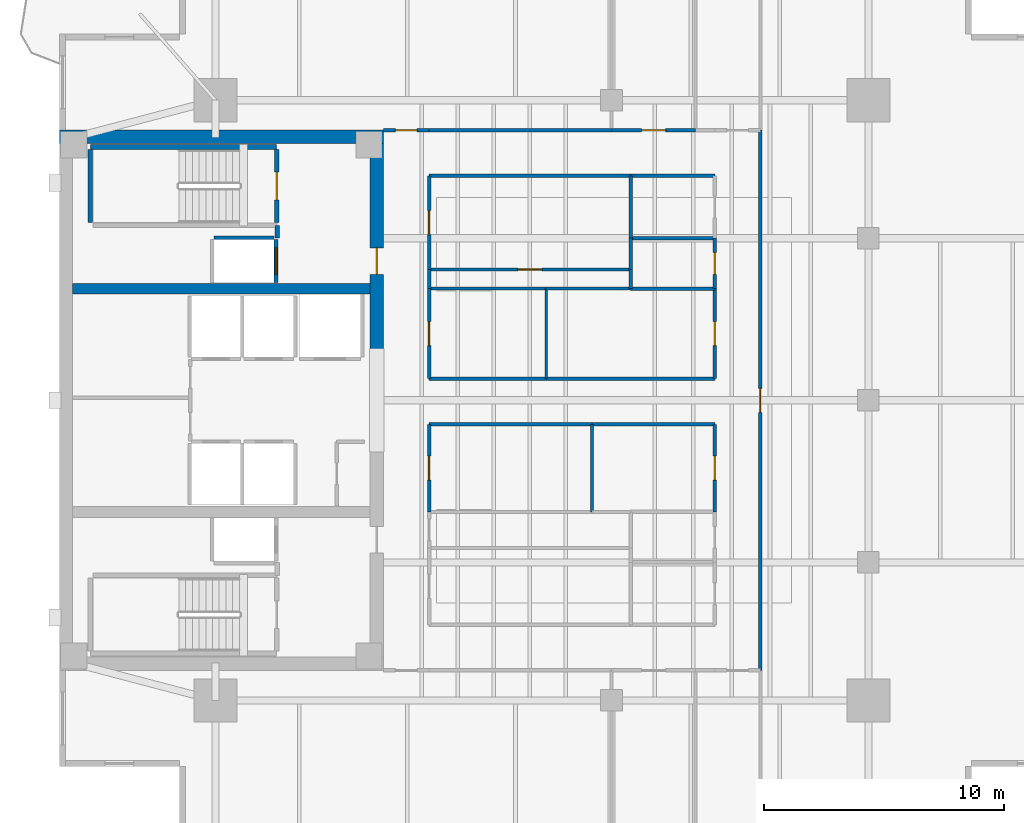
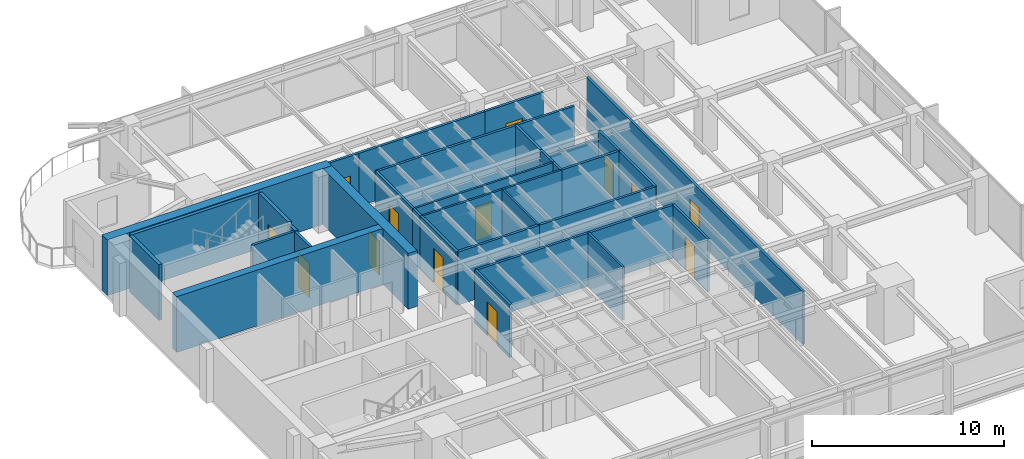
# One storey, part 9 of 14: 36 walls, 13 doors, 13 openings.
"""IFC4 building model written with IfcOpenShell, lengths in metres."""

from ifc_helpers import new_model, si_unit, direction, frame, frame_2d, origin, place, context, subcontext, project, spatial, rectangle, extrude, material, layer, layer_set, type_object, element, fill, save


model = new_model("IFC4")

# Units and contexts
model_context = context("Model", 3, precision=1e-05, world=origin(), true_north=direction((0.0, 1.0)))
body_context = subcontext(model_context, "Body", "Model", "MODEL_VIEW")
ifc_project = project(units=[si_unit("LENGTHUNIT", "METRE"), si_unit("AREAUNIT", "SQUARE_METRE"), si_unit("VOLUMEUNIT", "CUBIC_METRE"), si_unit("PLANEANGLEUNIT", "RADIAN"), si_unit("MASSUNIT", "GRAM", prefix="KILO")], contexts=[model_context])

# Site, building, storey
site_placement = place(None, origin())
site = spatial("IfcSite", under=ifc_project, at=site_placement, CompositionType="ELEMENT")
building_placement = place(site_placement, origin())
building = spatial("IfcBuilding", under=site, at=building_placement, Name="Kinhvarn Gate Tower", CompositionType="ELEMENT")
storey_placement = place(building_placement, frame((0.0, 0.0, 212.89990234375)))
storey = spatial("IfcBuildingStorey", under=building, at=storey_placement, Name="L56", CompositionType="ELEMENT", Elevation=212.89990234375)

# Walls
ifc_material_1 = material(Name="Concrete C50/60", Category="concrete")
ifc_layer_1 = layer(ifc_material_1, 0.449951171875)
ifc_layer_set_1 = layer_set([ifc_layer_1], Name="Concrete C50/60")
wall_type_1 = type_object("IfcWallType", Name="WL-CORE-450", PredefinedType="SHEAR", material=ifc_layer_set_1)
wall_1_placement = place(storey_placement, frame((5.050048828125, 29.89990234375, 0.0), z_axis=(0.0, 0.0, 1.0), x_axis=(1.0, 0.0, 0.0)))
element("IfcWall", 1, at=wall_1_placement, inside=storey, type_object=wall_type_1, Name="Core North Spine Shear Wall L56 450 mm", PredefinedType="SHEAR", context=body_context, shape_type="SweptSolid", body=[
    extrude(rectangle(XDim=12.39990234375, YDim=0.449951171875, at=frame_2d((6.199951171875, 0.0))), origin(), (0.0, 0.0, 1.0), 3.550048828125),
])
ifc_material_2 = material(Name="Concrete C60/75", Category="concrete")
ifc_layer_2 = layer(ifc_material_2, 0.550048828125)
ifc_layer_set_2 = layer_set([ifc_layer_2], Name="Concrete C60/75")
wall_type_2 = type_object("IfcWallType", Name="WL-CORE-550", PredefinedType="SHEAR", material=ifc_layer_set_2)
wall_2_placement = place(storey_placement, frame((4.5, 36.22509765625, 0.0), z_axis=(0.0, 0.0, 1.0), x_axis=(1.0, 0.0, 0.0)))
element("IfcWall", 2, at=wall_2_placement, inside=storey, type_object=wall_type_2, Name="Core North Shear Wall L56 550 mm", PredefinedType="SHEAR", context=body_context, shape_type="SweptSolid", body=[
    extrude(rectangle(XDim=13.5, YDim=0.550048828125, at=frame_2d((6.75, 0.0))), origin(), (0.0, 0.0, 1.0), 3.550048828125),
])

# Wall, opening, door
wall_3_placement = place(storey_placement, frame((17.72509765625, 27.050048828125, 0.0), z_axis=(0.0, 0.0, 1.0), x_axis=(0.0, 1.0, 0.0)))
wall_3 = element("IfcWall", 3, at=wall_3_placement, inside=storey, type_object=wall_type_2, Name="Core East-North Shear Pier L56 550 mm", PredefinedType="SHEAR", context=body_context, shape_type="SweptSolid", body=[
    extrude(rectangle(XDim=8.89990234375, YDim=0.550048828125, at=frame_2d((4.449951171875, 0.0))), origin(), (0.0, 0.0, 1.0), 3.550048828125),
])
opening_1_placement = place(wall_3_placement, frame((3.449951171875, 0.0, 0.0)))
opening_1 = element("IfcOpeningElement", 4, at=opening_1_placement, cuts=wall_3, Name="Opening FD-02", PredefinedType="OPENING", context=body_context, shape_type="SweptSolid", body=[
    extrude(rectangle(XDim=1.10009765625, YDim=2.14990234375, at=frame_2d((0.550048828125, 1.074951171875))), frame((0.0, 0.28515625, 0.0), z_axis=(0.0, -1.0, 0.0), x_axis=(1.0, 0.0, 0.0)), (0.0, 0.0, 1.0), 0.570068359375),
])
ifc_material_3 = material(Name="Anodised aluminium AW-6063", Category="aluminium")
door_type_1 = type_object("IfcDoorType", Name="DR-FD-1100", OperationType="NOTDEFINED", PredefinedType="DOOR", material=ifc_material_3)
door_1_placement = place(opening_1_placement, origin())
door_1 = element("IfcDoor", 5, at=door_1_placement, inside=storey, type_object=door_type_1, Name="Firefighting Lobby Core Door (L56)", OperationType="SINGLE_SWING_LEFT", OverallHeight=2.14990234375, OverallWidth=1.10009765625, PredefinedType="DOOR", context=body_context, shape_type="SweptSolid", body=[
    extrude(rectangle(XDim=1.10009765625, YDim=2.14990234375, at=frame_2d((0.550048828125, 1.074951171875))), frame((0.0, 0.02490234375, 0.0), z_axis=(0.0, -1.0, 0.0), x_axis=(1.0, 0.0, 0.0)), (0.0, 0.0, 1.0), 0.050048828125),
])
fill(opening_1, door_1)

# Walls
ifc_material_4 = material(Name="Gypsum acoustic partition board")
ifc_layer_3 = layer(ifc_material_4, 0.14990234375)
ifc_layer_set_3 = layer_set([ifc_layer_3], Name="Gypsum acoustic partition board")
wall_type_3 = type_object("IfcWallType", Name="WL-PLM-150", PredefinedType="PLUMBINGWALL", material=ifc_layer_set_3)
wall_4_placement = place(storey_placement, frame((28.300048828125, 32.0, 0.0), z_axis=(0.0, 0.0, 1.0), x_axis=(1.0, 0.0, 0.0)))
element("IfcWall", 6, at=wall_4_placement, inside=storey, type_object=wall_type_3, Name="Interior Partition PLW-150 (L56)", PredefinedType="PLUMBINGWALL", context=body_context, shape_type="SweptSolid", body=[
    extrude(rectangle(XDim=3.5, YDim=0.14990234375, at=frame_2d((1.75, 0.0))), origin(), (0.0, 0.0, 1.0), 2.8701171875),
])
wall_5_placement = place(storey_placement, frame((28.300048828125, 32.0, 0.0), z_axis=(0.0, 0.0, 1.0), x_axis=(0.0, 1.0, 0.0)))
element("IfcWall", 7, at=wall_5_placement, inside=storey, type_object=wall_type_3, Name="Interior Partition PLW-150 (L56)", PredefinedType="PLUMBINGWALL", context=body_context, shape_type="SweptSolid", body=[
    extrude(rectangle(XDim=2.60009765625, YDim=0.14990234375, at=frame_2d((1.300048828125, 0.0))), origin(), (0.0, 0.0, 1.0), 3.3701171875),
])
wall_6_placement = place(storey_placement, frame((28.300048828125, 30.699951171875, 0.0), z_axis=(0.0, 0.0, 1.0), x_axis=(0.0, 1.0, 0.0)))
element("IfcWall", 8, at=wall_6_placement, inside=storey, type_object=wall_type_3, Name="Interior Partition PLW-150 (L56)", PredefinedType="PLUMBINGWALL", context=body_context, shape_type="SweptSolid", body=[
    extrude(rectangle(XDim=1.300048828125, YDim=0.14990234375, at=frame_2d((0.64990234375, 0.0))), origin(), (0.0, 0.0, 1.0), 3.3701171875),
])
wall_7_placement = place(storey_placement, frame((28.300048828125, 29.89990234375, 0.0), z_axis=(0.0, 0.0, 1.0), x_axis=(0.0, 1.0, 0.0)))
element("IfcWall", 9, at=wall_7_placement, inside=storey, type_object=wall_type_3, Name="Interior Partition PLW-150 (L56)", PredefinedType="PLUMBINGWALL", context=body_context, shape_type="SweptSolid", body=[
    extrude(rectangle(XDim=0.800048828125, YDim=0.14990234375, at=frame_2d((0.39990234375, 0.0))), origin(), (0.0, 0.0, 1.0), 3.3701171875),
])
wall_8_placement = place(storey_placement, frame((28.300048828125, 29.89990234375, 0.0), z_axis=(0.0, 0.0, 1.0), x_axis=(1.0, 0.0, 0.0)))
element("IfcWall", 10, at=wall_8_placement, inside=storey, type_object=wall_type_3, Name="Interior Partition PLW-150 (L56)", PredefinedType="PLUMBINGWALL", context=body_context, shape_type="SweptSolid", body=[
    extrude(rectangle(XDim=3.5, YDim=0.14990234375, at=frame_2d((1.75, 0.0))), origin(), (0.0, 0.0, 1.0), 3.3701171875),
])

# Wall, opening, door
ifc_layer_4 = layer(ifc_material_4, 0.14990234375)
ifc_layer_set_4 = layer_set([ifc_layer_4], Name="Gypsum acoustic partition board")
wall_type_4 = type_object("IfcWallType", Name="WL-PLM-150F", PredefinedType="PLUMBINGWALL", material=ifc_layer_set_4)
wall_9_placement = place(storey_placement, frame((31.800048828125, 29.89990234375, 0.0), z_axis=(0.0, 0.0, 1.0), x_axis=(0.0, 1.0, 0.0)))
wall_9 = element("IfcWall", 11, at=wall_9_placement, inside=storey, type_object=wall_type_4, Name="Interior Partition PLW-150F (L56)", PredefinedType="PLUMBINGWALL", context=body_context, shape_type="SweptSolid", body=[
    extrude(rectangle(XDim=2.10009765625, YDim=0.14990234375, at=frame_2d((1.050048828125, 0.0))), origin(), (0.0, 0.0, 1.0), 3.3701171875),
])
opening_2_placement = place(wall_9_placement, frame((0.60009765625, 0.0, 0.0)))
opening_2 = element("IfcOpeningElement", 12, at=opening_2_placement, cuts=wall_9, Name="Opening FD-04", PredefinedType="OPENING", context=body_context, shape_type="SweptSolid", body=[
    extrude(rectangle(XDim=0.89990234375, YDim=2.10009765625, at=frame_2d((0.449951171875, 1.050048828125))), frame((0.0, 0.0849609375, 0.0), z_axis=(0.0, -1.0, 0.0), x_axis=(1.0, 0.0, 0.0)), (0.0, 0.0, 1.0), 0.169921875),
])
door_type_2 = type_object("IfcDoorType", Name="DR-FD-900", OperationType="NOTDEFINED", PredefinedType="DOOR", material=ifc_material_3)
door_2_placement = place(opening_2_placement, origin())
door_2 = element("IfcDoor", 13, at=door_2_placement, inside=storey, type_object=door_type_2, Name="Rated Riser & Service Closet Fire Door 900x2100 mm (L56)", OperationType="SINGLE_SWING_LEFT", OverallHeight=2.10009765625, OverallWidth=0.89990234375, PredefinedType="DOOR", context=body_context, shape_type="SweptSolid", body=[
    extrude(rectangle(XDim=0.89990234375, YDim=2.10009765625, at=frame_2d((0.449951171875, 1.050048828125))), frame((0.0, 0.02490234375, 0.0), z_axis=(0.0, -1.0, 0.0), x_axis=(1.0, 0.0, 0.0)), (0.0, 0.0, 1.0), 0.050048828125),
])
fill(opening_2, door_2)

# Wall
wall_10_placement = place(storey_placement, frame((28.300048828125, 34.60009765625, 0.0), z_axis=(0.0, 0.0, 1.0), x_axis=(1.0, 0.0, 0.0)))
element("IfcWall", 14, at=wall_10_placement, inside=storey, type_object=wall_type_4, Name="Interior Partition PLW-150F (L56)", PredefinedType="PLUMBINGWALL", context=body_context, shape_type="SweptSolid", body=[
    extrude(rectangle(XDim=3.5, YDim=0.14990234375, at=frame_2d((1.75, 0.0))), origin(), (0.0, 0.0, 1.0), 3.3701171875),
])

# Wall, opening, door
ifc_layer_5 = layer(ifc_material_4, 0.1201171875)
ifc_layer_set_5 = layer_set([ifc_layer_5], Name="Gypsum acoustic partition board")
wall_type_5 = type_object("IfcWallType", Name="WL-PRT-120", PredefinedType="PARTITIONING", material=ifc_layer_set_5)
wall_11_placement = place(storey_placement, frame((19.89990234375, 30.699951171875, 0.0), z_axis=(0.0, 0.0, 1.0), x_axis=(1.0, 0.0, 0.0)))
wall_11 = element("IfcWall", 15, at=wall_11_placement, inside=storey, type_object=wall_type_5, Name="Interior Partition PW-120 (L56)", PredefinedType="PARTITIONING", context=body_context, shape_type="SweptSolid", body=[
    extrude(rectangle(XDim=8.400146484375, YDim=0.1201171875, at=frame_2d((4.2001953125, 0.0))), origin(), (0.0, 0.0, 1.0), 3.3701171875),
])
opening_3_placement = place(wall_11_placement, frame((3.699951171875, 0.0, 0.0)))
opening_3 = element("IfcOpeningElement", 16, at=opening_3_placement, cuts=wall_11, Name="Opening ID-02", PredefinedType="OPENING", context=body_context, shape_type="SweptSolid", body=[
    extrude(rectangle(XDim=1.0, YDim=2.14990234375, at=frame_2d((0.5, 1.074951171875))), frame((0.0, 0.070068359375, 0.0), z_axis=(0.0, -1.0, 0.0), x_axis=(1.0, 0.0, 0.0)), (0.0, 0.0, 1.0), 0.14013671875),
])
door_type_3 = type_object("IfcDoorType", Name="DR-INT-1000", OperationType="NOTDEFINED", PredefinedType="DOOR", material=ifc_material_3)
door_3_placement = place(opening_3_placement, origin())
door_3 = element("IfcDoor", 17, at=door_3_placement, inside=storey, type_object=door_type_3, Name="Standard Office & Meeting Room Door 1000x2150 mm (L56)", OperationType="SINGLE_SWING_LEFT", OverallHeight=2.14990234375, OverallWidth=1.0, PredefinedType="DOOR", context=body_context, shape_type="SweptSolid", body=[
    extrude(rectangle(XDim=1.0, YDim=2.14990234375, at=frame_2d((0.5, 1.074951171875))), frame((0.0, 0.02490234375, 0.0), z_axis=(0.0, -1.0, 0.0), x_axis=(1.0, 0.0, 0.0)), (0.0, 0.0, 1.0), 0.050048828125),
])
fill(opening_3, door_3)

# Walls
wall_12_placement = place(storey_placement, frame((19.89990234375, 29.89990234375, 0.0), z_axis=(0.0, 0.0, 1.0), x_axis=(1.0, 0.0, 0.0)))
element("IfcWall", 18, at=wall_12_placement, inside=storey, type_object=wall_type_5, Name="Interior Partition PW-120 (L56)", PredefinedType="PARTITIONING", context=body_context, shape_type="SweptSolid", body=[
    extrude(rectangle(XDim=4.880126953125, YDim=0.1201171875, at=frame_2d((2.43994140625, 0.0))), origin(), (0.0, 0.0, 1.0), 3.3701171875),
])
wall_13_placement = place(storey_placement, frame((24.780029296875, 29.89990234375, 0.0), z_axis=(0.0, 0.0, 1.0), x_axis=(1.0, 0.0, 0.0)))
element("IfcWall", 19, at=wall_13_placement, inside=storey, type_object=wall_type_5, Name="Interior Partition PW-120 (L56)", PredefinedType="PARTITIONING", context=body_context, shape_type="SweptSolid", body=[
    extrude(rectangle(XDim=3.52001953125, YDim=0.1201171875, at=frame_2d((1.760009765625, 0.0))), origin(), (0.0, 0.0, 1.0), 3.3701171875),
])
wall_14_placement = place(storey_placement, frame((26.679931640625, 20.60009765625, 0.0), z_axis=(0.0, 0.0, 1.0), x_axis=(0.0, 1.0, 0.0)))
element("IfcWall", 20, at=wall_14_placement, inside=storey, type_object=wall_type_5, Name="Interior Partition PW-120 (L56)", PredefinedType="PARTITIONING", context=body_context, shape_type="SweptSolid", body=[
    extrude(rectangle(XDim=3.64990234375, YDim=0.1201171875, at=frame_2d((1.824951171875, 0.0))), origin(), (0.0, 0.0, 1.0), 3.3701171875),
])
wall_15_placement = place(storey_placement, frame((24.780029296875, 26.14990234375, 0.0), z_axis=(0.0, 0.0, 1.0), x_axis=(0.0, 1.0, 0.0)))
element("IfcWall", 21, at=wall_15_placement, inside=storey, type_object=wall_type_5, Name="Interior Partition PW-120 (L56)", PredefinedType="PARTITIONING", context=body_context, shape_type="SweptSolid", body=[
    extrude(rectangle(XDim=3.75, YDim=0.1201171875, at=frame_2d((1.875, 0.0))), origin(), (0.0, 0.0, 1.0), 3.3701171875),
])

# Wall, opening, door
ifc_layer_6 = layer(ifc_material_4, 0.14990234375)
ifc_layer_set_6 = layer_set([ifc_layer_6], Name="Gypsum acoustic partition board")
wall_type_6 = type_object("IfcWallType", Name="WL-PRT-150F", PredefinedType="PARTITIONING", material=ifc_layer_set_6)
wall_16_placement = place(storey_placement, frame((19.89990234375, 30.699951171875, 0.0), z_axis=(0.0, 0.0, 1.0), x_axis=(0.0, 1.0, 0.0)))
wall_16 = element("IfcWall", 22, at=wall_16_placement, inside=storey, type_object=wall_type_6, Name="Interior Partition PW-150F (L56)", PredefinedType="PARTITIONING", context=body_context, shape_type="SweptSolid", body=[
    extrude(rectangle(XDim=3.900146484375, YDim=0.14990234375, at=frame_2d((1.9501953125, 0.0))), origin(), (0.0, 0.0, 1.0), 3.3701171875),
])
opening_4_placement = place(wall_16_placement, frame((1.449951171875, 0.0, 0.0)))
opening_4 = element("IfcOpeningElement", 23, at=opening_4_placement, cuts=wall_16, Name="Opening ID-02", PredefinedType="OPENING", context=body_context, shape_type="SweptSolid", body=[
    extrude(rectangle(XDim=1.0, YDim=2.14990234375, at=frame_2d((0.5, 1.074951171875))), frame((0.0, 0.0849609375, 0.0), z_axis=(0.0, -1.0, 0.0), x_axis=(1.0, 0.0, 0.0)), (0.0, 0.0, 1.0), 0.169921875),
])
door_4_placement = place(opening_4_placement, origin())
door_4 = element("IfcDoor", 24, at=door_4_placement, inside=storey, type_object=door_type_3, Name="Standard Office & Meeting Room Door 1000x2150 mm (L56)", OperationType="SINGLE_SWING_LEFT", OverallHeight=2.14990234375, OverallWidth=1.0, PredefinedType="DOOR", context=body_context, shape_type="SweptSolid", body=[
    extrude(rectangle(XDim=1.0, YDim=2.14990234375, at=frame_2d((0.5, 1.074951171875))), frame((0.0, 0.02490234375, 0.0), z_axis=(0.0, -1.0, 0.0), x_axis=(1.0, 0.0, 0.0)), (0.0, 0.0, 1.0), 0.050048828125),
])
fill(opening_4, door_4)

# Wall
wall_17_placement = place(storey_placement, frame((19.89990234375, 29.89990234375, 0.0), z_axis=(0.0, 0.0, 1.0), x_axis=(0.0, 1.0, 0.0)))
element("IfcWall", 25, at=wall_17_placement, inside=storey, type_object=wall_type_6, Name="Interior Partition PW-150F (L56)", PredefinedType="PARTITIONING", context=body_context, shape_type="SweptSolid", body=[
    extrude(rectangle(XDim=0.800048828125, YDim=0.14990234375, at=frame_2d((0.39990234375, 0.0))), origin(), (0.0, 0.0, 1.0), 3.3701171875),
])

# Wall, opening, door
wall_18_placement = place(storey_placement, frame((19.89990234375, 20.60009765625, 0.0), z_axis=(0.0, 0.0, 1.0), x_axis=(0.0, 1.0, 0.0)))
wall_18 = element("IfcWall", 26, at=wall_18_placement, inside=storey, type_object=wall_type_6, Name="Interior Partition PW-150F (L56)", PredefinedType="PARTITIONING", context=body_context, shape_type="SweptSolid", body=[
    extrude(rectangle(XDim=3.64990234375, YDim=0.14990234375, at=frame_2d((1.824951171875, 0.0))), origin(), (0.0, 0.0, 1.0), 3.3701171875),
])
opening_5_placement = place(wall_18_placement, frame((1.324951171875, 0.0, 0.0)))
opening_5 = element("IfcOpeningElement", 27, at=opening_5_placement, cuts=wall_18, Name="Opening ID-02", PredefinedType="OPENING", context=body_context, shape_type="SweptSolid", body=[
    extrude(rectangle(XDim=1.0, YDim=2.14990234375, at=frame_2d((0.5, 1.074951171875))), frame((0.0, 0.0849609375, 0.0), z_axis=(0.0, -1.0, 0.0), x_axis=(1.0, 0.0, 0.0)), (0.0, 0.0, 1.0), 0.169921875),
])
door_5_placement = place(opening_5_placement, origin())
door_5 = element("IfcDoor", 28, at=door_5_placement, inside=storey, type_object=door_type_3, Name="Standard Office & Meeting Room Door 1000x2150 mm (L56)", OperationType="SINGLE_SWING_RIGHT", OverallHeight=2.14990234375, OverallWidth=1.0, PredefinedType="DOOR", context=body_context, shape_type="SweptSolid", body=[
    extrude(rectangle(XDim=1.0, YDim=2.14990234375, at=frame_2d((0.5, 1.074951171875))), frame((0.0, 0.02490234375, 0.0), z_axis=(0.0, -1.0, 0.0), x_axis=(1.0, 0.0, 0.0)), (0.0, 0.0, 1.0), 0.050048828125),
])
fill(opening_5, door_5)

wall_19_placement = place(storey_placement, frame((19.89990234375, 26.14990234375, 0.0), z_axis=(0.0, 0.0, 1.0), x_axis=(0.0, 1.0, 0.0)))
wall_19 = element("IfcWall", 29, at=wall_19_placement, inside=storey, type_object=wall_type_6, Name="Interior Partition PW-150F (L56)", PredefinedType="PARTITIONING", context=body_context, shape_type="SweptSolid", body=[
    extrude(rectangle(XDim=3.75, YDim=0.14990234375, at=frame_2d((1.875, 0.0))), origin(), (0.0, 0.0, 1.0), 3.3701171875),
])
opening_6_placement = place(wall_19_placement, frame((1.375, 0.0, 0.0)))
opening_6 = element("IfcOpeningElement", 30, at=opening_6_placement, cuts=wall_19, Name="Opening ID-02", PredefinedType="OPENING", context=body_context, shape_type="SweptSolid", body=[
    extrude(rectangle(XDim=1.0, YDim=2.14990234375, at=frame_2d((0.5, 1.074951171875))), frame((0.0, 0.0849609375, 0.0), z_axis=(0.0, -1.0, 0.0), x_axis=(1.0, 0.0, 0.0)), (0.0, 0.0, 1.0), 0.169921875),
])
door_6_placement = place(opening_6_placement, origin())
door_6 = element("IfcDoor", 31, at=door_6_placement, inside=storey, type_object=door_type_3, Name="Standard Office & Meeting Room Door 1000x2150 mm (L56)", OperationType="SINGLE_SWING_LEFT", OverallHeight=2.14990234375, OverallWidth=1.0, PredefinedType="DOOR", context=body_context, shape_type="SweptSolid", body=[
    extrude(rectangle(XDim=1.0, YDim=2.14990234375, at=frame_2d((0.5, 1.074951171875))), frame((0.0, 0.02490234375, 0.0), z_axis=(0.0, -1.0, 0.0), x_axis=(1.0, 0.0, 0.0)), (0.0, 0.0, 1.0), 0.050048828125),
])
fill(opening_6, door_6)

wall_20_placement = place(storey_placement, frame((18.0, 36.5, 0.0), z_axis=(0.0, 0.0, 1.0), x_axis=(1.0, 0.0, 0.0)))
wall_20 = element("IfcWall", 32, at=wall_20_placement, inside=storey, type_object=wall_type_6, Name="Interior Partition PW-150F (L56)", PredefinedType="PARTITIONING", context=body_context, shape_type="SweptSolid", body=[
    extrude(rectangle(XDim=1.89990234375, YDim=0.14990234375, at=frame_2d((0.949951171875, 0.0))), origin(), (0.0, 0.0, 1.0), 3.3701171875),
])
opening_7_placement = place(wall_20_placement, frame((0.5, 0.0, 0.0)))
opening_7 = element("IfcOpeningElement", 33, at=opening_7_placement, cuts=wall_20, Name="Opening ID-03", PredefinedType="OPENING", context=body_context, shape_type="SweptSolid", body=[
    extrude(rectangle(XDim=0.89990234375, YDim=2.10009765625, at=frame_2d((0.449951171875, 1.050048828125))), frame((0.0, 0.0849609375, 0.0), z_axis=(0.0, -1.0, 0.0), x_axis=(1.0, 0.0, 0.0)), (0.0, 0.0, 1.0), 0.169921875),
])
door_type_4 = type_object("IfcDoorType", Name="DR-INT-900", OperationType="NOTDEFINED", PredefinedType="DOOR", material=ifc_material_3)
door_7_placement = place(opening_7_placement, origin())
door_7 = element("IfcDoor", 34, at=door_7_placement, inside=storey, type_object=door_type_4, Name="Cellular Office & Restroom Door 900x2100 mm (L56)", OperationType="SINGLE_SWING_LEFT", OverallHeight=2.10009765625, OverallWidth=0.89990234375, PredefinedType="DOOR", context=body_context, shape_type="SweptSolid", body=[
    extrude(rectangle(XDim=0.89990234375, YDim=2.10009765625, at=frame_2d((0.449951171875, 1.050048828125))), frame((0.0, 0.02490234375, 0.0), z_axis=(0.0, -1.0, 0.0), x_axis=(1.0, 0.0, 0.0)), (0.0, 0.0, 1.0), 0.050048828125),
])
fill(opening_7, door_7)

# Walls
wall_21_placement = place(storey_placement, frame((19.89990234375, 24.25, 0.0), z_axis=(0.0, 0.0, 1.0), x_axis=(1.0, 0.0, 0.0)))
element("IfcWall", 35, at=wall_21_placement, inside=storey, type_object=wall_type_6, Name="Interior Partition PW-150F (L56)", PredefinedType="PARTITIONING", context=body_context, shape_type="SweptSolid", body=[
    extrude(rectangle(XDim=6.780029296875, YDim=0.14990234375, at=frame_2d((3.39013671875, 0.0))), origin(), (0.0, 0.0, 1.0), 3.3701171875),
])
wall_22_placement = place(storey_placement, frame((26.679931640625, 24.25, 0.0), z_axis=(0.0, 0.0, 1.0), x_axis=(1.0, 0.0, 0.0)))
element("IfcWall", 36, at=wall_22_placement, inside=storey, type_object=wall_type_6, Name="Interior Partition PW-150F (L56)", PredefinedType="PARTITIONING", context=body_context, shape_type="SweptSolid", body=[
    extrude(rectangle(XDim=5.1201171875, YDim=0.14990234375, at=frame_2d((2.56005859375, 0.0))), origin(), (0.0, 0.0, 1.0), 3.3701171875),
])
wall_23_placement = place(storey_placement, frame((19.89990234375, 26.14990234375, 0.0), z_axis=(0.0, 0.0, 1.0), x_axis=(1.0, 0.0, 0.0)))
element("IfcWall", 37, at=wall_23_placement, inside=storey, type_object=wall_type_6, Name="Interior Partition PW-150F (L56)", PredefinedType="PARTITIONING", context=body_context, shape_type="SweptSolid", body=[
    extrude(rectangle(XDim=4.880126953125, YDim=0.14990234375, at=frame_2d((2.43994140625, 0.0))), origin(), (0.0, 0.0, 1.0), 3.3701171875),
])
wall_24_placement = place(storey_placement, frame((24.780029296875, 26.14990234375, 0.0), z_axis=(0.0, 0.0, 1.0), x_axis=(1.0, 0.0, 0.0)))
element("IfcWall", 38, at=wall_24_placement, inside=storey, type_object=wall_type_6, Name="Interior Partition PW-150F (L56)", PredefinedType="PARTITIONING", context=body_context, shape_type="SweptSolid", body=[
    extrude(rectangle(XDim=7.02001953125, YDim=0.14990234375, at=frame_2d((3.510009765625, 0.0))), origin(), (0.0, 0.0, 1.0), 3.3701171875),
])

# Wall, opening, door
wall_25_placement = place(storey_placement, frame((31.800048828125, 20.60009765625, 0.0), z_axis=(0.0, 0.0, 1.0), x_axis=(0.0, 1.0, 0.0)))
wall_25 = element("IfcWall", 39, at=wall_25_placement, inside=storey, type_object=wall_type_6, Name="Interior Partition PW-150F (L56)", PredefinedType="PARTITIONING", context=body_context, shape_type="SweptSolid", body=[
    extrude(rectangle(XDim=3.64990234375, YDim=0.14990234375, at=frame_2d((1.824951171875, 0.0))), origin(), (0.0, 0.0, 1.0), 3.3701171875),
])
opening_8_placement = place(wall_25_placement, frame((1.324951171875, 0.0, 0.0)))
opening_8 = element("IfcOpeningElement", 40, at=opening_8_placement, cuts=wall_25, Name="Opening ID-02", PredefinedType="OPENING", context=body_context, shape_type="SweptSolid", body=[
    extrude(rectangle(XDim=1.0, YDim=2.14990234375, at=frame_2d((0.5, 1.074951171875))), frame((0.0, 0.0849609375, 0.0), z_axis=(0.0, -1.0, 0.0), x_axis=(1.0, 0.0, 0.0)), (0.0, 0.0, 1.0), 0.169921875),
])
door_8_placement = place(opening_8_placement, origin())
door_8 = element("IfcDoor", 41, at=door_8_placement, inside=storey, type_object=door_type_3, Name="Standard Office & Meeting Room Door 1000x2150 mm (L56)", OperationType="SINGLE_SWING_RIGHT", OverallHeight=2.14990234375, OverallWidth=1.0, PredefinedType="DOOR", context=body_context, shape_type="SweptSolid", body=[
    extrude(rectangle(XDim=1.0, YDim=2.14990234375, at=frame_2d((0.5, 1.074951171875))), frame((0.0, 0.02490234375, 0.0), z_axis=(0.0, -1.0, 0.0), x_axis=(1.0, 0.0, 0.0)), (0.0, 0.0, 1.0), 0.050048828125),
])
fill(opening_8, door_8)

wall_26_placement = place(storey_placement, frame((31.800048828125, 26.14990234375, 0.0), z_axis=(0.0, 0.0, 1.0), x_axis=(0.0, 1.0, 0.0)))
wall_26 = element("IfcWall", 42, at=wall_26_placement, inside=storey, type_object=wall_type_6, Name="Interior Partition PW-150F (L56)", PredefinedType="PARTITIONING", context=body_context, shape_type="SweptSolid", body=[
    extrude(rectangle(XDim=3.75, YDim=0.14990234375, at=frame_2d((1.875, 0.0))), origin(), (0.0, 0.0, 1.0), 3.3701171875),
])
opening_9_placement = place(wall_26_placement, frame((1.375, 0.0, 0.0)))
opening_9 = element("IfcOpeningElement", 43, at=opening_9_placement, cuts=wall_26, Name="Opening ID-02", PredefinedType="OPENING", context=body_context, shape_type="SweptSolid", body=[
    extrude(rectangle(XDim=1.0, YDim=2.14990234375, at=frame_2d((0.5, 1.074951171875))), frame((0.0, 0.0849609375, 0.0), z_axis=(0.0, -1.0, 0.0), x_axis=(1.0, 0.0, 0.0)), (0.0, 0.0, 1.0), 0.169921875),
])
door_9_placement = place(opening_9_placement, origin())
door_9 = element("IfcDoor", 44, at=door_9_placement, inside=storey, type_object=door_type_3, Name="Standard Office & Meeting Room Door 1000x2150 mm (L56)", OperationType="SINGLE_SWING_LEFT", OverallHeight=2.14990234375, OverallWidth=1.0, PredefinedType="DOOR", context=body_context, shape_type="SweptSolid", body=[
    extrude(rectangle(XDim=1.0, YDim=2.14990234375, at=frame_2d((0.5, 1.074951171875))), frame((0.0, 0.02490234375, 0.0), z_axis=(0.0, -1.0, 0.0), x_axis=(1.0, 0.0, 0.0)), (0.0, 0.0, 1.0), 0.050048828125),
])
fill(opening_9, door_9)

wall_27_placement = place(storey_placement, frame((33.699951171875, 14.0, 0.0), z_axis=(0.0, 0.0, 1.0), x_axis=(0.0, 1.0, 0.0)))
wall_27 = element("IfcWall", 45, at=wall_27_placement, inside=storey, type_object=wall_type_6, Name="Interior Partition PW-150F (L56)", PredefinedType="PARTITIONING", context=body_context, shape_type="SweptSolid", body=[
    extrude(rectangle(XDim=22.5, YDim=0.14990234375, at=frame_2d((11.25, 0.0))), origin(), (0.0, 0.0, 1.0), 3.3701171875),
])
opening_10_placement = place(wall_27_placement, frame((10.75, 0.0, 0.0)))
opening_10 = element("IfcOpeningElement", 46, at=opening_10_placement, cuts=wall_27, Name="Opening ID-02", PredefinedType="OPENING", context=body_context, shape_type="SweptSolid", body=[
    extrude(rectangle(XDim=1.0, YDim=2.14990234375, at=frame_2d((0.5, 1.074951171875))), frame((0.0, 0.0849609375, 0.0), z_axis=(0.0, -1.0, 0.0), x_axis=(1.0, 0.0, 0.0)), (0.0, 0.0, 1.0), 0.169921875),
])
door_10_placement = place(opening_10_placement, origin())
door_10 = element("IfcDoor", 47, at=door_10_placement, inside=storey, type_object=door_type_3, Name="Standard Office & Meeting Room Door 1000x2150 mm (L56)", OperationType="SINGLE_SWING_RIGHT", OverallHeight=2.14990234375, OverallWidth=1.0, PredefinedType="DOOR", context=body_context, shape_type="SweptSolid", body=[
    extrude(rectangle(XDim=1.0, YDim=2.14990234375, at=frame_2d((0.5, 1.074951171875))), frame((0.0, 0.02490234375, 0.0), z_axis=(0.0, -1.0, 0.0), x_axis=(1.0, 0.0, 0.0)), (0.0, 0.0, 1.0), 0.050048828125),
])
fill(opening_10, door_10)

# Walls
wall_28_placement = place(storey_placement, frame((19.89990234375, 34.60009765625, 0.0), z_axis=(0.0, 0.0, 1.0), x_axis=(1.0, 0.0, 0.0)))
element("IfcWall", 48, at=wall_28_placement, inside=storey, type_object=wall_type_6, Name="Interior Partition PW-150F (L56)", PredefinedType="PARTITIONING", context=body_context, shape_type="SweptSolid", body=[
    extrude(rectangle(XDim=8.400146484375, YDim=0.14990234375, at=frame_2d((4.2001953125, 0.0))), origin(), (0.0, 0.0, 1.0), 3.3701171875),
])
wall_29_placement = place(storey_placement, frame((19.89990234375, 36.5, 0.0), z_axis=(0.0, 0.0, 1.0), x_axis=(1.0, 0.0, 0.0)))
element("IfcWall", 49, at=wall_29_placement, inside=storey, type_object=wall_type_6, Name="Interior Partition PW-150F (L56)", PredefinedType="PARTITIONING", context=body_context, shape_type="SweptSolid", body=[
    extrude(rectangle(XDim=7.60009765625, YDim=0.14990234375, at=frame_2d((3.800048828125, 0.0))), origin(), (0.0, 0.0, 1.0), 3.3701171875),
])

# Wall, opening, door
wall_30_placement = place(storey_placement, frame((27.5, 36.5, 0.0), z_axis=(0.0, 0.0, 1.0), x_axis=(1.0, 0.0, 0.0)))
wall_30 = element("IfcWall", 50, at=wall_30_placement, inside=storey, type_object=wall_type_6, Name="Interior Partition PW-150F (L56)", PredefinedType="PARTITIONING", context=body_context, shape_type="SweptSolid", body=[
    extrude(rectangle(XDim=3.5, YDim=0.14990234375, at=frame_2d((1.75, 0.0))), origin(), (0.0, 0.0, 1.0), 3.3701171875),
])
opening_11_placement = place(wall_30_placement, frame((1.25, 0.0, 0.0)))
opening_11 = element("IfcOpeningElement", 51, at=opening_11_placement, cuts=wall_30, Name="Opening ID-02", PredefinedType="OPENING", context=body_context, shape_type="SweptSolid", body=[
    extrude(rectangle(XDim=1.0, YDim=2.14990234375, at=frame_2d((0.5, 1.074951171875))), frame((0.0, 0.0849609375, 0.0), z_axis=(0.0, -1.0, 0.0), x_axis=(1.0, 0.0, 0.0)), (0.0, 0.0, 1.0), 0.169921875),
])
door_11_placement = place(opening_11_placement, origin())
door_11 = element("IfcDoor", 52, at=door_11_placement, inside=storey, type_object=door_type_3, Name="Standard Office & Meeting Room Door 1000x2150 mm (L56)", OperationType="SINGLE_SWING_RIGHT", OverallHeight=2.14990234375, OverallWidth=1.0, PredefinedType="DOOR", context=body_context, shape_type="SweptSolid", body=[
    extrude(rectangle(XDim=1.0, YDim=2.14990234375, at=frame_2d((0.5, 1.074951171875))), frame((0.0, 0.02490234375, 0.0), z_axis=(0.0, -1.0, 0.0), x_axis=(1.0, 0.0, 0.0)), (0.0, 0.0, 1.0), 0.050048828125),
])
fill(opening_11, door_11)

# Walls
ifc_layer_7 = layer(ifc_material_4, 0.199951171875)
ifc_layer_set_7 = layer_set([ifc_layer_7], Name="Gypsum acoustic partition board")
wall_type_7 = type_object("IfcWallType", Name="WL-PRT-200", PredefinedType="PARTITIONING", material=ifc_layer_set_7)
wall_31_placement = place(storey_placement, frame((13.580078125, 32.0, 0.0), z_axis=(0.0, 0.0, 1.0), x_axis=(0.0, 1.0, 0.0)))
element("IfcWall", 53, at=wall_31_placement, inside=storey, type_object=wall_type_7, Name="Interior Partition PW-200 (L56)", PredefinedType="PARTITIONING", context=body_context, shape_type="SweptSolid", body=[
    extrude(rectangle(XDim=0.5400390625, YDim=0.199951171875, at=frame_2d((0.27001953125, 0.0))), origin(), (0.0, 0.0, 1.0), 3.3701171875),
])
ifc_layer_8 = layer(ifc_material_4, 0.14990234375)
ifc_layer_set_8 = layer_set([ifc_layer_8], Name="Gypsum acoustic partition board")
wall_type_8 = type_object("IfcWallType", Name="WL-SHF-150", PredefinedType="PARTITIONING", material=ifc_layer_set_8)
wall_32_placement = place(storey_placement, frame((10.949951171875, 32.02490234375, 0.0), z_axis=(0.0, 0.0, 1.0), x_axis=(1.0, 0.0, 0.0)))
element("IfcWall", 54, at=wall_32_placement, inside=storey, type_object=wall_type_8, Name="Elevator FF2 Hoistway Wall N (L56)", PredefinedType="PARTITIONING", context=body_context, shape_type="SweptSolid", body=[
    extrude(rectangle(XDim=2.5, YDim=0.14990234375, at=frame_2d((1.25, 0.0))), origin(), (0.0, 0.0, 1.0), 3.3701171875),
])

# Wall, opening, door
wall_33_placement = place(storey_placement, frame((13.52490234375, 30.14990234375, 0.0), z_axis=(0.0, 0.0, 1.0), x_axis=(0.0, 1.0, 0.0)))
wall_33 = element("IfcWall", 55, at=wall_33_placement, inside=storey, type_object=wall_type_8, Name="Elevator FF2 Landing Wall (L56)", PredefinedType="PARTITIONING", context=body_context, shape_type="SweptSolid", body=[
    extrude(rectangle(XDim=1.800048828125, YDim=0.14990234375, at=frame_2d((0.89990234375, 0.0))), origin(), (0.0, 0.0, 1.0), 3.3701171875),
])
opening_12_placement = place(wall_33_placement, frame((0.35009765625, 0.0, 0.0)))
opening_12 = element("IfcOpeningElement", 56, at=opening_12_placement, cuts=wall_33, Name="Opening LD-03", PredefinedType="OPENING", context=body_context, shape_type="SweptSolid", body=[
    extrude(rectangle(XDim=1.10009765625, YDim=2.199951171875, at=frame_2d((0.550048828125, 1.10009765625))), frame((0.0, 0.0849609375, 0.0), z_axis=(0.0, -1.0, 0.0), x_axis=(1.0, 0.0, 0.0)), (0.0, 0.0, 1.0), 0.169921875),
])
door_type_5 = type_object("IfcDoorType", Name="DR-LND-FF", OperationType="NOTDEFINED", PredefinedType="DOOR", material=ifc_material_3)
door_12_placement = place(opening_12_placement, origin())
door_12 = element("IfcDoor", 57, at=door_12_placement, inside=storey, type_object=door_type_5, Name="Elevator FF2 Sliding Landing Door (L56)", OperationType="DOUBLE_DOOR_SLIDING", OverallHeight=2.199951171875, OverallWidth=1.10009765625, PredefinedType="DOOR", context=body_context, shape_type="SweptSolid", body=[
    extrude(rectangle(XDim=1.10009765625, YDim=2.199951171875, at=frame_2d((0.550048828125, 1.10009765625))), frame((0.0, 0.02490234375, 0.0), z_axis=(0.0, -1.0, 0.0), x_axis=(1.0, 0.0, 0.0)), (0.0, 0.0, 1.0), 0.050048828125),
])
fill(opening_12, door_12)

# Walls
ifc_material_5 = material(Name="Concrete C40/50", Category="concrete")
ifc_layer_9 = layer(ifc_material_5, 0.199951171875)
ifc_layer_set_9 = layer_set([ifc_layer_9], Name="Concrete C40/50")
wall_type_9 = type_object("IfcWallType", Name="WL-SHF-200", PredefinedType="SOLIDWALL", material=ifc_layer_set_9)
wall_34_placement = place(storey_placement, frame((5.800048828125, 35.800048828125, 0.0), z_axis=(0.0, 0.0, 1.0), x_axis=(1.0, 0.0, 0.0)))
element("IfcWall", 58, at=wall_34_placement, inside=storey, type_object=wall_type_9, Name="Stair ST2 North Shaft Wall (L56)", PredefinedType="SOLIDWALL", context=body_context, shape_type="SweptSolid", body=[
    extrude(rectangle(XDim=7.75, YDim=0.199951171875, at=frame_2d((3.875, 0.0))), origin(), (0.0, 0.0, 1.0), 3.550048828125),
])
wall_35_placement = place(storey_placement, frame((5.7900390625, 32.64990234375, 0.0), z_axis=(0.0, 0.0, 1.0), x_axis=(0.0, 1.0, 0.0)))
element("IfcWall", 59, at=wall_35_placement, inside=storey, type_object=wall_type_9, Name="Stair ST2 West Shaft Wall (L56)", PredefinedType="SOLIDWALL", context=body_context, shape_type="SweptSolid", body=[
    extrude(rectangle(XDim=3.050048828125, YDim=0.199951171875, at=frame_2d((1.52490234375, 0.0))), origin(), (0.0, 0.0, 1.0), 3.550048828125),
])

# Wall, opening, door
wall_36_placement = place(storey_placement, frame((13.56005859375, 32.64990234375, 0.0), z_axis=(0.0, 0.0, 1.0), x_axis=(0.0, 1.0, 0.0)))
wall_36 = element("IfcWall", 60, at=wall_36_placement, inside=storey, type_object=wall_type_9, Name="Stair ST2 East Entry Wall (L56)", PredefinedType="SOLIDWALL", context=body_context, shape_type="SweptSolid", body=[
    extrude(rectangle(XDim=3.050048828125, YDim=0.199951171875, at=frame_2d((1.52490234375, 0.0))), origin(), (0.0, 0.0, 1.0), 3.550048828125),
])
opening_13_placement = place(wall_36_placement, frame((0.949951171875, 0.0, 0.0)))
opening_13 = element("IfcOpeningElement", 61, at=opening_13_placement, cuts=wall_36, Name="Opening FD-01", PredefinedType="OPENING", context=body_context, shape_type="SweptSolid", body=[
    extrude(rectangle(XDim=1.14990234375, YDim=2.14990234375, at=frame_2d((0.574951171875, 1.074951171875))), frame((0.0, 0.10986328125, 0.0), z_axis=(0.0, -1.0, 0.0), x_axis=(1.0, 0.0, 0.0)), (0.0, 0.0, 1.0), 0.219970703125),
])
door_type_6 = type_object("IfcDoorType", Name="DR-ST-1150", OperationType="NOTDEFINED", PredefinedType="DOOR", material=ifc_material_3)
door_13_placement = place(opening_13_placement, origin())
door_13 = element("IfcDoor", 62, at=door_13_placement, inside=storey, type_object=door_type_6, Name="Exit Stair ST2 Fire Door (L56)", OperationType="SINGLE_SWING_LEFT", OverallHeight=2.14990234375, OverallWidth=1.14990234375, PredefinedType="DOOR", context=body_context, shape_type="SweptSolid", body=[
    extrude(rectangle(XDim=1.14990234375, YDim=2.14990234375, at=frame_2d((0.574951171875, 1.074951171875))), frame((0.0, 0.02490234375, 0.0), z_axis=(0.0, -1.0, 0.0), x_axis=(1.0, 0.0, 0.0)), (0.0, 0.0, 1.0), 0.050048828125),
])
fill(opening_13, door_13)

save(model, "model.ifc")
